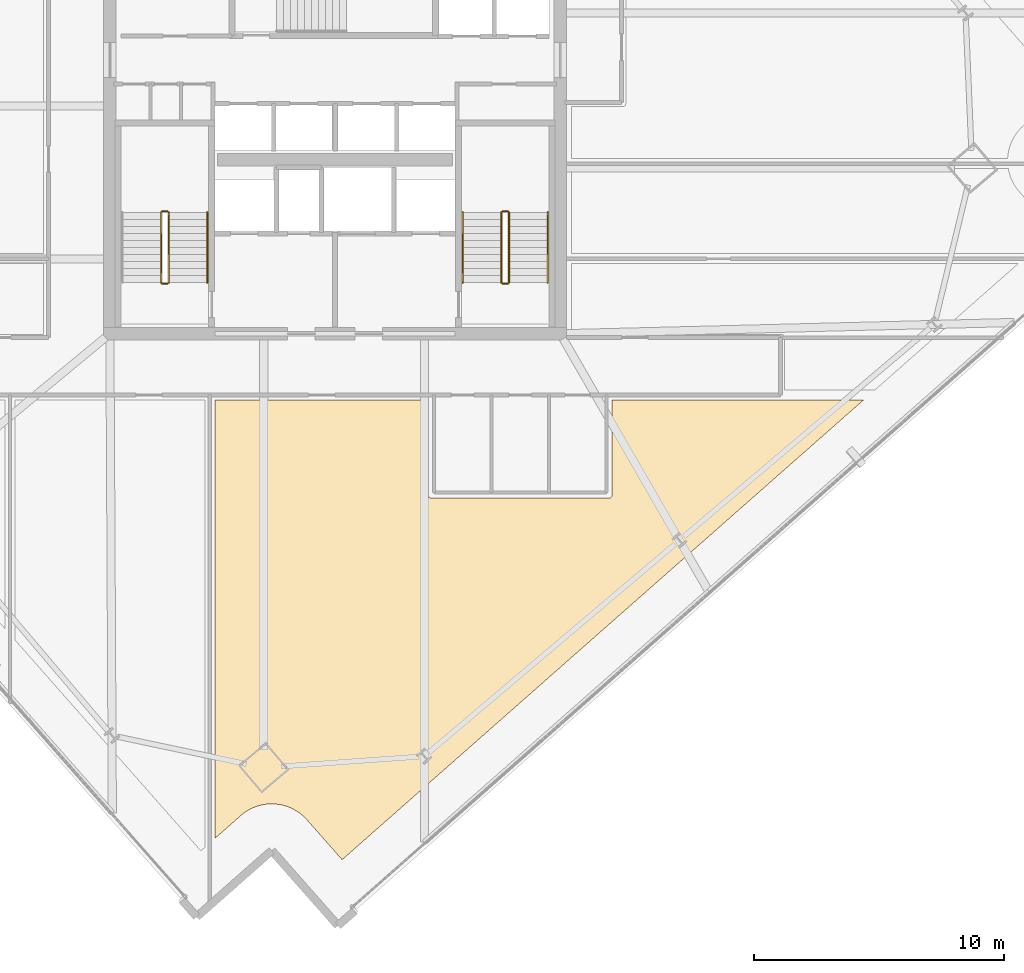
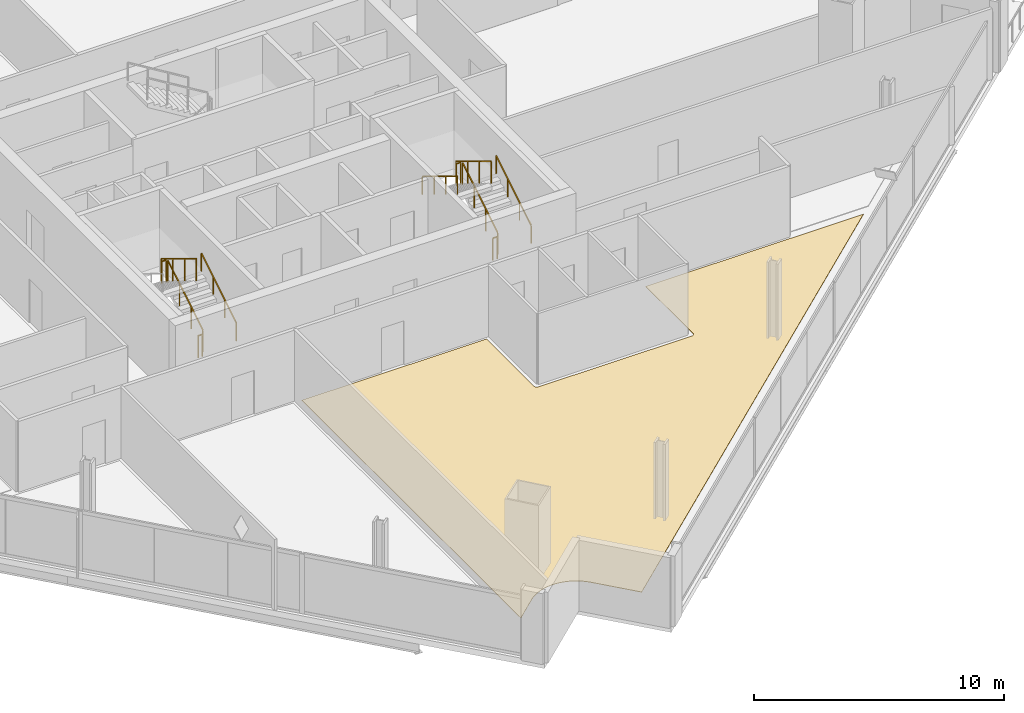
# One storey, part 31 of 34: 11 railings, 1 covering.
"""IFC4 building model written with IfcOpenShell, lengths in metres."""

import ifcopenshell
import ifcopenshell.guid

model = None  # the IFC model being written
_history = None  # IfcOwnerHistory: only IFC2X3 demands one
_inside = {}  # id of a spatial element -> (the spatial element, [elements in it])
_under = {}  # id of a project, library or spatial element -> (it, [spatial elements below it])
_declared = {}  # id of a project -> (the project, [libraries it declares])
_typed = {}  # id of a type object -> (the type object, [elements of that type])
_made_of = {}  # id of a material, layer set ... -> (it, [elements and type objects made of it])


def new_model(schema):
    """Start an empty IFC model of exactly this schema.

    Asked for "IFC4X3", IfcOpenShell would pick the latest addendum, in which some entities
    have other attributes; the version numbers below select the first issue.
    IFC2X3 requires an IfcOwnerHistory on every rooted entity: one is made here for all.
    """
    global model, _history
    if schema == "IFC4X3":
        model = ifcopenshell.file(schema_version=(4, 3, 0, 0))
    else:
        model = ifcopenshell.file(schema=schema)
    _inside.clear()
    _under.clear()
    _declared.clear()
    _typed.clear()
    _made_of.clear()
    _history = None
    if model.schema == "IFC2X3":
        org = make("IfcOrganization", Name="unknown")
        user = make(
            "IfcPersonAndOrganization",
            ThePerson=make("IfcPerson", FamilyName="unknown"),
            TheOrganization=org,
        )
        app = make(
            "IfcApplication",
            ApplicationDeveloper=org,
            Version="unknown",
            ApplicationFullName="unknown",
            ApplicationIdentifier="unknown",
        )
        _history = make(
            "IfcOwnerHistory",
            OwningUser=user,
            OwningApplication=app,
            ChangeAction="ADDED",
            CreationDate=0,
        )
    return model


def make(cls, **values):
    """One entity of the class cls with the attributes given. An attribute that is None is left unset."""
    return model.create_entity(
        cls, **{name: value for name, value in values.items() if value is not None}
    )


def rooted(cls, **values):
    """An entity with a GlobalId (a new one), such as an element, a storey or a relation."""
    return make(cls, GlobalId=ifcopenshell.guid.new(), OwnerHistory=_history, **values)


def si_unit(unit_type, name, prefix=None):
    """IfcSIUnit, for example si_unit("LENGTHUNIT", "METRE", prefix="MILLI")."""
    return make("IfcSIUnit", UnitType=unit_type, Prefix=prefix, Name=name)


def assignment(units):
    """IfcUnitAssignment: the units of a project."""
    return None if units is None else make("IfcUnitAssignment", Units=units)


def point(xyz):
    """IfcCartesianPoint."""
    return None if xyz is None else make("IfcCartesianPoint", Coordinates=xyz)


def direction(xyz):
    """IfcDirection."""
    return None if xyz is None else make("IfcDirection", DirectionRatios=xyz)


def frame(location, z_axis=None, x_axis=None):
    """IfcAxis2Placement3D, a coordinate frame: its origin and axes. An axis left out is left unset."""
    return make(
        "IfcAxis2Placement3D",
        Location=point(location),
        Axis=direction(z_axis),
        RefDirection=direction(x_axis),
    )


def frame_2d(location, x_axis=None):
    """IfcAxis2Placement2D, a coordinate frame in the plane: its origin and x axis."""
    return make(
        "IfcAxis2Placement2D", Location=point(location), RefDirection=direction(x_axis)
    )


def origin():
    """The frame at (0, 0, 0) with its axes left unset."""
    return frame((0.0, 0.0, 0.0))


def origin_2d():
    """The frame at (0, 0) in the plane with its x axis left unset."""
    return frame_2d((0.0, 0.0))


def place(relative_to, where):
    """IfcLocalPlacement: puts the frame where relative to a parent placement (None: the world)."""
    return make(
        "IfcLocalPlacement", PlacementRelTo=relative_to, RelativePlacement=where
    )


def context(
    kind, dimensions, precision=None, world=None, true_north=None, identifier=None
):
    """IfcGeometricRepresentationContext, for example the 3D "Model" context."""
    return make(
        "IfcGeometricRepresentationContext",
        ContextIdentifier=identifier,
        ContextType=kind,
        CoordinateSpaceDimension=dimensions,
        Precision=precision,
        WorldCoordinateSystem=world,
        TrueNorth=true_north,
    )


def subcontext(parent, identifier, kind, view, scale=None):
    """IfcGeometricRepresentationSubContext, for example "Body" below "Model"."""
    return make(
        "IfcGeometricRepresentationSubContext",
        ContextIdentifier=identifier,
        ContextType=kind,
        ParentContext=parent,
        TargetScale=scale,
        TargetView=view,
    )


def project(units=None, contexts=None):
    """IfcProject with its units and contexts."""
    return rooted(
        "IfcProject",
        Name="project",
        RepresentationContexts=contexts,
        UnitsInContext=assignment(units),
    )


def spatial(cls, under=None, at=None, **own):
    """A site, building, storey or space (cls), placed at a placement, below another one or the project."""
    s = rooted(cls, ObjectPlacement=at, **own)
    if under is not None:
        _under.setdefault(under.id(), (under, []))[1].append(s)
    return s


def polyline(points):
    """IfcPolyline through the points."""
    return make("IfcPolyline", Points=[point(p) for p in points])


def profile(cls, at=None, kind="AREA", **sizes):
    """A parametric profile (cls). Its sizes go by their IFC names, for example OverallWidth=200.0."""
    return make(cls, ProfileType=kind, Position=at, **sizes)


def rectangle(**sizes):
    """IfcRectangleProfileDef."""
    return profile("IfcRectangleProfileDef", **sizes)


def outline(outer, holes=None, kind="AREA"):
    """IfcArbitraryClosedProfileDef: a profile drawn as a closed curve; with holes, ...WithVoids."""
    if holes is None:
        return make("IfcArbitraryClosedProfileDef", ProfileType=kind, OuterCurve=outer)
    return make(
        "IfcArbitraryProfileDefWithVoids",
        ProfileType=kind,
        OuterCurve=outer,
        InnerCurves=holes,
    )


def extrude(swept, where, along, depth):
    """IfcExtrudedAreaSolid: the profile swept, set in the frame where, extruded along a direction by depth."""
    return make(
        "IfcExtrudedAreaSolid",
        SweptArea=swept,
        Position=where,
        ExtrudedDirection=direction(along),
        Depth=depth,
    )


def shape(context_of_items, identifier, shape_type, items):
    """IfcShapeRepresentation: the items that make up one representation, for example the "Body"."""
    return make(
        "IfcShapeRepresentation",
        ContextOfItems=context_of_items,
        RepresentationIdentifier=identifier,
        RepresentationType=shape_type,
        Items=items,
    )


def material(Name=None, Category=None):
    """IfcMaterial."""
    return make("IfcMaterial", Name=Name, Category=Category)


def layer(
    of_material, thickness, ventilated=None, Name=None, Category=None, Priority=None
):
    """IfcMaterialLayer: one layer of a wall or slab, of a material (None: an air gap)."""
    return make(
        "IfcMaterialLayer",
        Material=of_material,
        LayerThickness=thickness,
        IsVentilated=ventilated,
        Name=Name,
        Category=Category,
        Priority=Priority,
    )


def layer_set(layers, Name=None):
    """IfcMaterialLayerSet."""
    return make("IfcMaterialLayerSet", MaterialLayers=layers, LayerSetName=Name)


def made_of(thing, what):
    """Note that an element or type object is made of a material, layer set ...; save() writes the relation."""
    if what is not None:
        _made_of.setdefault(what.id(), (what, []))[1].append(thing)
    return thing


def type_object(cls, material=None, **own):
    """A type object (cls), such as IfcWallType, which elements share."""
    return made_of(rooted(cls, **own), material)


def element(
    cls,
    number,
    at=None,
    inside=None,
    cuts=None,
    type_object=None,
    material=None,
    context=None,
    identifier="Body",
    shape_type=None,
    held_by="IfcProductDefinitionShape",
    body=None,
    shapes=None,
    **own,
):
    """One element of the class cls, such as IfcWall. Its Tag is "e" and its number.

    at: its placement. inside: the storey or other place that contains it. cuts: it is an
    opening in that element (IfcRelVoidsElement). A single representation is given by context,
    identifier, shape_type and body (its items); several are given by shapes. held_by: the class
    of the entity that holds the representations. save() writes the other relations.
    """
    e = rooted(cls, Tag="e%d" % number, ObjectPlacement=at, **own)
    if body is not None:
        shapes = [shape(context, identifier, shape_type, body)]
    if shapes is not None:
        e.Representation = make(held_by, Representations=shapes)
    if inside is not None:
        _inside.setdefault(inside.id(), (inside, []))[1].append(e)
    if cuts is not None:
        rooted(
            "IfcRelVoidsElement", RelatingBuildingElement=cuts, RelatedOpeningElement=e
        )
    if type_object is not None:
        _typed.setdefault(type_object.id(), (type_object, []))[1].append(e)
    return made_of(e, material)


def aggregate(whole, parts):
    """IfcRelAggregates: a whole, such as a stair, and the parts it consists of."""
    return rooted("IfcRelAggregates", RelatingObject=whole, RelatedObjects=parts)


def save(model, path):
    """Write the relations noted so far, then the file.

    IfcRelAggregates (storeys below a building ...), IfcRelContainedInSpatialStructure (elements
    in a storey), IfcRelDefinesByType, IfcRelAssociatesMaterial and IfcRelDeclares: one each for
    every whole, place, type object, material and project.
    """
    for whole, parts in _under.values():
        aggregate(whole, parts)
    for where, things in _inside.values():
        rooted(
            "IfcRelContainedInSpatialStructure",
            RelatedElements=things,
            RelatingStructure=where,
        )
    for kind, things in _typed.values():
        rooted("IfcRelDefinesByType", RelatedObjects=things, RelatingType=kind)
    for what, things in _made_of.values():
        rooted("IfcRelAssociatesMaterial", RelatedObjects=things, RelatingMaterial=what)
    for by, libraries in _declared.values():
        rooted("IfcRelDeclares", RelatingContext=by, RelatedDefinitions=libraries)
    model.write(path)


model = new_model("IFC4")

# Units and contexts
model_context = context("Model", 3, precision=1e-05, world=origin(), true_north=direction((0.0, 1.0)))
body_context = subcontext(model_context, "Body", "Model", "MODEL_VIEW")
ifc_project = project(units=[si_unit("LENGTHUNIT", "METRE"), si_unit("AREAUNIT", "SQUARE_METRE"), si_unit("VOLUMEUNIT", "CUBIC_METRE"), si_unit("PLANEANGLEUNIT", "RADIAN"), si_unit("MASSUNIT", "GRAM", prefix="KILO")], contexts=[model_context])

# Site, building, storey
site_placement = place(None, origin())
site = spatial("IfcSite", under=ifc_project, at=site_placement, CompositionType="ELEMENT")
building_placement = place(site_placement, origin())
building = spatial("IfcBuilding", under=site, at=building_placement, Name="Haldenkirk Collegiate Tower", CompositionType="ELEMENT")
storey_placement = place(building_placement, frame((0.0, 0.0, 166.949951171875)))
storey = spatial("IfcBuildingStorey", under=building, at=storey_placement, Name="L41", CompositionType="ELEMENT", Elevation=166.949951171875)

# Covering
ifc_material_1 = material(Name="Engineered collegiate oak acoustic flooring", Category="wood")
ifc_layer = layer(ifc_material_1, 0.02197265625)
ifc_layer_set = layer_set([ifc_layer], Name="Engineered collegiate oak acoustic flooring")
covering_type = type_object("IfcCoveringType", Name="COV-FLOOR-TIMBER", PredefinedType="FLOORING", material=ifc_layer_set)
covering_placement = place(storey_placement, origin())
element("IfcCovering", 1, at=covering_placement, inside=storey, type_object=covering_type, Name="L41 academic room finish 03", PredefinedType="FLOORING", context=body_context, shape_type="SweptSolid", body=[
    extrude(outline(polyline([(34.298583984375, -0.98291015625), (34.2880859375, -0.9775390625), (34.130126953125, -0.90966796875), (34.119140625, -0.905517578125), (33.95556640625, -0.853515625), (33.9443359375, -0.850341796875), (33.7763671875, -0.814453125), (33.7646484375, -0.8125), (33.593994140625, -0.79345703125), (33.582275390625, -0.792724609375), (33.41064453125, -0.790283203125), (33.398681640625, -0.790771484375), (33.2275390625, -0.805419921875), (33.2158203125, -0.806884765625), (33.047119140625, -0.838134765625), (33.03564453125, -0.8408203125), (32.87060546875, -0.888427734375), (32.859375, -0.89208984375), (32.699951171875, -0.955810546875), (32.689208984375, -0.960693359375), (32.53662109375, -1.03955078125), (32.5263671875, -1.04541015625), (32.38232421875, -1.138916015625), (32.372802734375, -1.145751953125), (32.238525390625, -1.252685546875), (32.23388671875, -1.256591796875), (31.199951171875, -2.168212890625), (31.199951171875, 15.35009765625), (39.72998046875, 15.35009765625), (39.72998046875, 11.550048828125), (39.730712890625, 11.5380859375), (39.732421875, 11.526611328125), (39.735107421875, 11.51513671875), (39.739013671875, 11.504150390625), (39.744140625, 11.493408203125), (39.750244140625, 11.4833984375), (39.757080078125, 11.473876953125), (39.76513671875, 11.465087890625), (39.77392578125, 11.457275390625), (39.783203125, 11.4501953125), (39.79345703125, 11.444091796875), (39.80419921875, 11.439208984375), (39.815185546875, 11.435302734375), (39.82666015625, 11.432373046875), (39.838134765625, 11.4306640625), (39.85009765625, 11.429931640625), (46.949951171875, 11.429931640625), (46.9619140625, 11.4306640625), (46.973388671875, 11.432373046875), (46.98486328125, 11.435302734375), (46.995849609375, 11.439208984375), (47.006591796875, 11.444091796875), (47.0166015625, 11.4501953125), (47.026123046875, 11.457275390625), (47.034912109375, 11.465087890625), (47.042724609375, 11.473876953125), (47.0498046875, 11.4833984375), (47.055908203125, 11.493408203125), (47.060791015625, 11.504150390625), (47.064697265625, 11.51513671875), (47.067626953125, 11.526611328125), (47.0693359375, 11.5380859375), (47.070068359375, 11.550048828125), (47.070068359375, 15.35009765625), (57.118896484375, 15.35009765625), (36.281982421875, -3.020263671875), (34.873291015625, -1.422607421875), (34.869384765625, -1.418212890625), (34.74951171875, -1.295166015625), (34.740966796875, -1.287109375), (34.60986328125, -1.176513671875), (34.600341796875, -1.169189453125), (34.458984375, -1.072021484375), (34.448974609375, -1.06591796875), (34.298583984375, -0.98291015625)])), origin(), (0.0, 0.0, 1.0), 0.02197265625),
])

# Railings
ifc_material_2 = material(Name="Painted architectural tubular steel", Category="steel")
railing_type_1 = type_object("IfcRailingType", Name="RLG-STAIR-GUARD-1100", PredefinedType="BALUSTRADE", material=ifc_material_2)
railing_1_placement = place(storey_placement, frame((29.35009765625, 20.050048828125, 0.17041015625)))
element("IfcRailing", 2, at=railing_1_placement, inside=storey, type_object=railing_type_1, Name="L41 ST-1 stair guard 1", PredefinedType="BALUSTRADE", context=body_context, shape_type="SweptSolid", body=[
    extrude(rectangle(XDim=0.048095703125, YDim=0.048095703125, at=origin_2d()), frame((0.0, 0.0, 1.076171875), z_axis=(0.0, 0.854169791009, 0.51999420009), x_axis=(-1.0, 0.0, 0.0)), (0.0, 0.0, 1.0), 3.278076171875),
    extrude(rectangle(XDim=0.0419921875, YDim=0.0419921875, at=origin_2d()), origin(), (0.0, 0.0, 1.0), 1.052001953125),
    extrude(rectangle(XDim=0.0419921875, YDim=0.0419921875, at=origin_2d()), frame((0.0, 0.933349609375, 0.568115234375)), (0.0, 0.0, 1.0), 1.052001953125),
    extrude(rectangle(XDim=0.0419921875, YDim=0.0419921875, at=origin_2d()), frame((0.0, 1.86669921875, 1.136474609375)), (0.0, 0.0, 1.0), 1.052001953125),
    extrude(rectangle(XDim=0.0419921875, YDim=0.0419921875, at=origin_2d()), frame((0.0, 2.800048828125, 1.70458984375)), (0.0, 0.0, 1.0), 1.052001953125),
])
railing_2_placement = place(storey_placement, frame((29.300048828125, 22.89990234375, 1.875)))
element("IfcRailing", 3, at=railing_2_placement, inside=storey, type_object=railing_type_1, Name="L41 ST-1 stair guard 2", PredefinedType="BALUSTRADE", context=body_context, shape_type="SweptSolid", body=[
    extrude(rectangle(XDim=0.048095703125, YDim=0.048095703125, at=origin_2d()), frame((0.0, 0.0, 1.076171875), z_axis=(-1.0, 0.0, 0.0), x_axis=(0.0, -1.0, 0.0)), (0.0, 0.0, 1.0), 0.199951171875),
    extrude(rectangle(XDim=0.0419921875, YDim=0.0419921875, at=origin_2d()), origin(), (0.0, 0.0, 1.0), 1.052001953125),
    extrude(rectangle(XDim=0.0419921875, YDim=0.0419921875, at=origin_2d()), frame((-0.199951171875, 0.0, 0.0)), (0.0, 0.0, 1.0), 1.052001953125),
])
railing_3_placement = place(storey_placement, frame((29.050048828125, 22.85009765625, 2.04541015625)))
element("IfcRailing", 4, at=railing_3_placement, inside=storey, type_object=railing_type_1, Name="L41 ST-1 stair guard 3", PredefinedType="BALUSTRADE", context=body_context, shape_type="SweptSolid", body=[
    extrude(rectangle(XDim=0.048095703125, YDim=0.048095703125, at=origin_2d()), frame((0.0, 0.0, 1.076171875), z_axis=(0.0, -0.854169791009, 0.51999420009), x_axis=(1.0, 0.0, 0.0)), (0.0, 0.0, 1.0), 3.278076171875),
    extrude(rectangle(XDim=0.0419921875, YDim=0.0419921875, at=origin_2d()), origin(), (0.0, 0.0, 1.0), 1.052001953125),
    extrude(rectangle(XDim=0.0419921875, YDim=0.0419921875, at=origin_2d()), frame((0.0, -0.933349609375, 0.568115234375)), (0.0, 0.0, 1.0), 1.052001953125),
    extrude(rectangle(XDim=0.0419921875, YDim=0.0419921875, at=origin_2d()), frame((0.0, -1.86669921875, 1.136474609375)), (0.0, 0.0, 1.0), 1.052001953125),
    extrude(rectangle(XDim=0.0419921875, YDim=0.0419921875, at=origin_2d()), frame((0.0, -2.800048828125, 1.70458984375)), (0.0, 0.0, 1.0), 1.052001953125),
])
railing_4_placement = place(storey_placement, frame((29.300048828125, 20.0, 0.0)))
element("IfcRailing", 5, at=railing_4_placement, inside=storey, type_object=railing_type_1, Name="L41 ST-1 stair guard 4", PredefinedType="BALUSTRADE", context=body_context, shape_type="SweptSolid", body=[
    extrude(rectangle(XDim=0.048095703125, YDim=0.048095703125, at=origin_2d()), frame((0.0, 0.0, 1.076171875), z_axis=(-1.0, 0.0, 0.0), x_axis=(0.0, -1.0, 0.0)), (0.0, 0.0, 1.0), 0.199951171875),
    extrude(rectangle(XDim=0.0419921875, YDim=0.0419921875, at=origin_2d()), origin(), (0.0, 0.0, 1.0), 1.052001953125),
    extrude(rectangle(XDim=0.0419921875, YDim=0.0419921875, at=origin_2d()), frame((-0.199951171875, 0.0, 0.0)), (0.0, 0.0, 1.0), 1.052001953125),
])
railing_5_placement = place(storey_placement, frame((42.949951171875, 20.050048828125, 0.17041015625)))
element("IfcRailing", 6, at=railing_5_placement, inside=storey, type_object=railing_type_1, Name="L41 ST-2 stair guard 1", PredefinedType="BALUSTRADE", context=body_context, shape_type="SweptSolid", body=[
    extrude(rectangle(XDim=0.048095703125, YDim=0.048095703125, at=origin_2d()), frame((0.0, 0.0, 1.076171875), z_axis=(0.0, 0.854169791009, 0.51999420009), x_axis=(-1.0, 0.0, 0.0)), (0.0, 0.0, 1.0), 3.278076171875),
    extrude(rectangle(XDim=0.0419921875, YDim=0.0419921875, at=origin_2d()), origin(), (0.0, 0.0, 1.0), 1.052001953125),
    extrude(rectangle(XDim=0.0419921875, YDim=0.0419921875, at=origin_2d()), frame((0.0, 0.933349609375, 0.568115234375)), (0.0, 0.0, 1.0), 1.052001953125),
    extrude(rectangle(XDim=0.0419921875, YDim=0.0419921875, at=origin_2d()), frame((0.0, 1.86669921875, 1.136474609375)), (0.0, 0.0, 1.0), 1.052001953125),
    extrude(rectangle(XDim=0.0419921875, YDim=0.0419921875, at=origin_2d()), frame((0.0, 2.800048828125, 1.70458984375)), (0.0, 0.0, 1.0), 1.052001953125),
])
railing_6_placement = place(storey_placement, frame((42.89990234375, 22.89990234375, 1.875)))
element("IfcRailing", 7, at=railing_6_placement, inside=storey, type_object=railing_type_1, Name="L41 ST-2 stair guard 2", PredefinedType="BALUSTRADE", context=body_context, shape_type="SweptSolid", body=[
    extrude(rectangle(XDim=0.048095703125, YDim=0.048095703125, at=origin_2d()), frame((0.0, 0.0, 1.076171875), z_axis=(-1.0, 0.0, 0.0), x_axis=(0.0, -1.0, 0.0)), (0.0, 0.0, 1.0), 0.199951171875),
    extrude(rectangle(XDim=0.0419921875, YDim=0.0419921875, at=origin_2d()), origin(), (0.0, 0.0, 1.0), 1.052001953125),
    extrude(rectangle(XDim=0.0419921875, YDim=0.0419921875, at=origin_2d()), frame((-0.199951171875, 0.0, 0.0)), (0.0, 0.0, 1.0), 1.052001953125),
])
railing_7_placement = place(storey_placement, frame((42.64990234375, 22.85009765625, 2.04541015625)))
element("IfcRailing", 8, at=railing_7_placement, inside=storey, type_object=railing_type_1, Name="L41 ST-2 stair guard 3", PredefinedType="BALUSTRADE", context=body_context, shape_type="SweptSolid", body=[
    extrude(rectangle(XDim=0.048095703125, YDim=0.048095703125, at=origin_2d()), frame((0.0, 0.0, 1.076171875), z_axis=(0.0, -0.854169791009, 0.51999420009), x_axis=(1.0, 0.0, 0.0)), (0.0, 0.0, 1.0), 3.278076171875),
    extrude(rectangle(XDim=0.0419921875, YDim=0.0419921875, at=origin_2d()), origin(), (0.0, 0.0, 1.0), 1.052001953125),
    extrude(rectangle(XDim=0.0419921875, YDim=0.0419921875, at=origin_2d()), frame((0.0, -0.933349609375, 0.568115234375)), (0.0, 0.0, 1.0), 1.052001953125),
    extrude(rectangle(XDim=0.0419921875, YDim=0.0419921875, at=origin_2d()), frame((0.0, -1.86669921875, 1.136474609375)), (0.0, 0.0, 1.0), 1.052001953125),
    extrude(rectangle(XDim=0.0419921875, YDim=0.0419921875, at=origin_2d()), frame((0.0, -2.800048828125, 1.70458984375)), (0.0, 0.0, 1.0), 1.052001953125),
])
railing_8_placement = place(storey_placement, frame((42.89990234375, 20.0, 0.0)))
element("IfcRailing", 9, at=railing_8_placement, inside=storey, type_object=railing_type_1, Name="L41 ST-2 stair guard 4", PredefinedType="BALUSTRADE", context=body_context, shape_type="SweptSolid", body=[
    extrude(rectangle(XDim=0.048095703125, YDim=0.048095703125, at=origin_2d()), frame((0.0, 0.0, 1.076171875), z_axis=(-1.0, 0.0, 0.0), x_axis=(0.0, -1.0, 0.0)), (0.0, 0.0, 1.0), 0.199951171875),
    extrude(rectangle(XDim=0.0419921875, YDim=0.0419921875, at=origin_2d()), origin(), (0.0, 0.0, 1.0), 1.052001953125),
    extrude(rectangle(XDim=0.0419921875, YDim=0.0419921875, at=origin_2d()), frame((-0.199951171875, 0.0, 0.0)), (0.0, 0.0, 1.0), 1.052001953125),
])
railing_type_2 = type_object("IfcRailingType", Name="RLG-STAIR-HANDRAIL-900", PredefinedType="HANDRAIL", material=ifc_material_2)
for number, where, name in (
    (10, (30.89990234375, 20.050048828125, 0.17041015625), "L41 ST-1 stair handrail 1"),
    (11, (44.5, 20.050048828125, 0.17041015625), "L41 ST-2 stair handrail 1"),
):
    element("IfcRailing", number, at=place(storey_placement, frame(where)), inside=storey, type_object=railing_type_2, Name=name, PredefinedType="HANDRAIL", context=body_context, shape_type="SweptSolid", body=[
        extrude(rectangle(XDim=0.048095703125, YDim=0.048095703125, at=origin_2d()), frame((0.0, 0.0, 0.8759765625), z_axis=(0.0, 0.854169791009, 0.51999420009), x_axis=(-1.0, 0.0, 0.0)), (0.0, 0.0, 1.0), 3.278076171875),
        extrude(rectangle(XDim=0.0419921875, YDim=0.0419921875, at=origin_2d()), origin(), (0.0, 0.0, 1.0), 0.851806640625),
        extrude(rectangle(XDim=0.0419921875, YDim=0.0419921875, at=origin_2d()), frame((0.0, 0.933349609375, 0.568115234375)), (0.0, 0.0, 1.0), 0.851806640625),
        extrude(rectangle(XDim=0.0419921875, YDim=0.0419921875, at=origin_2d()), frame((0.0, 1.86669921875, 1.136474609375)), (0.0, 0.0, 1.0), 0.851806640625),
        extrude(rectangle(XDim=0.0419921875, YDim=0.0419921875, at=origin_2d()), frame((0.0, 2.800048828125, 1.70458984375)), (0.0, 0.0, 1.0), 0.851806640625),
    ])
railing_9_placement = place(storey_placement, frame((41.10009765625, 22.85009765625, 2.04541015625)))
element("IfcRailing", 12, at=railing_9_placement, inside=storey, type_object=railing_type_2, Name="L41 ST-2 stair handrail 2", PredefinedType="HANDRAIL", context=body_context, shape_type="SweptSolid", body=[
    extrude(rectangle(XDim=0.048095703125, YDim=0.048095703125, at=origin_2d()), frame((0.0, 0.0, 0.8759765625), z_axis=(0.0, -0.854169791009, 0.51999420009), x_axis=(1.0, 0.0, 0.0)), (0.0, 0.0, 1.0), 3.278076171875),
    extrude(rectangle(XDim=0.0419921875, YDim=0.0419921875, at=origin_2d()), origin(), (0.0, 0.0, 1.0), 0.851806640625),
    extrude(rectangle(XDim=0.0419921875, YDim=0.0419921875, at=origin_2d()), frame((0.0, -0.933349609375, 0.568115234375)), (0.0, 0.0, 1.0), 0.851806640625),
    extrude(rectangle(XDim=0.0419921875, YDim=0.0419921875, at=origin_2d()), frame((0.0, -1.86669921875, 1.136474609375)), (0.0, 0.0, 1.0), 0.851806640625),
    extrude(rectangle(XDim=0.0419921875, YDim=0.0419921875, at=origin_2d()), frame((0.0, -2.800048828125, 1.70458984375)), (0.0, 0.0, 1.0), 0.851806640625),
])

save(model, "model.ifc")
